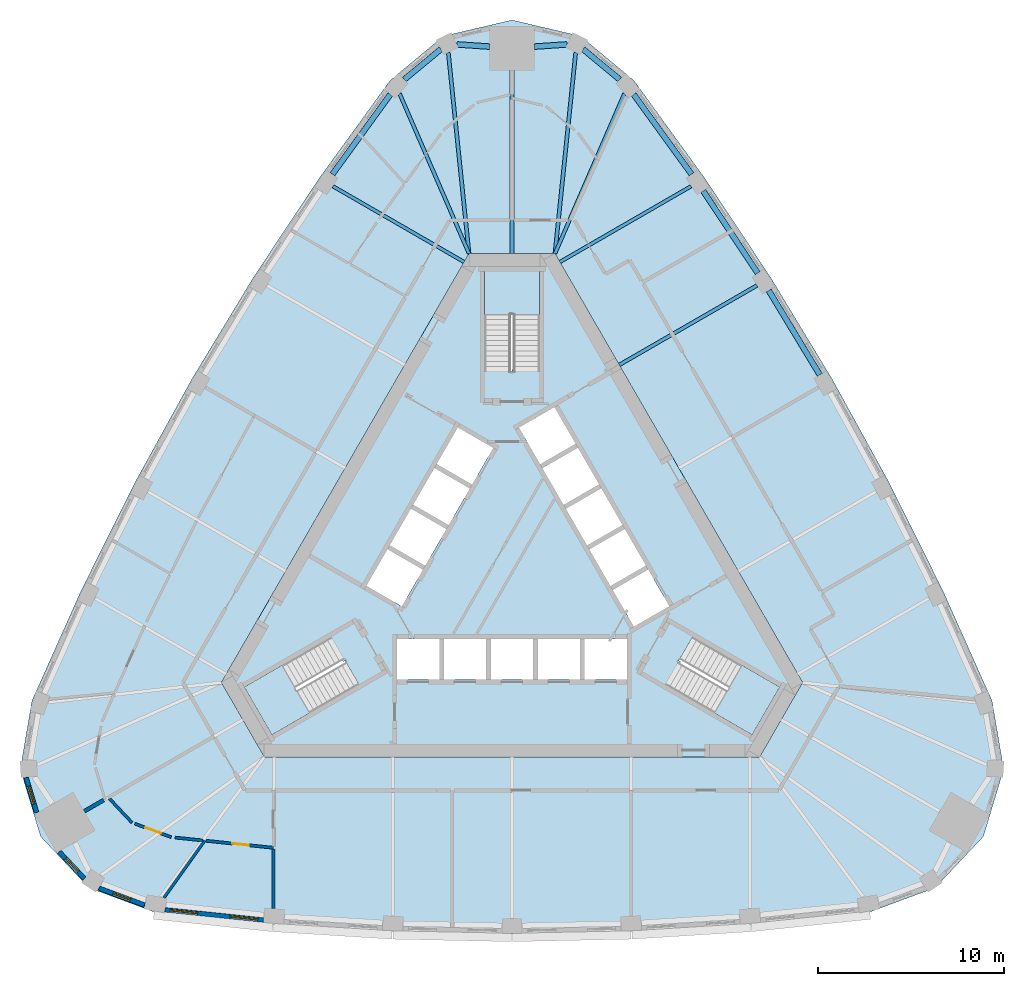
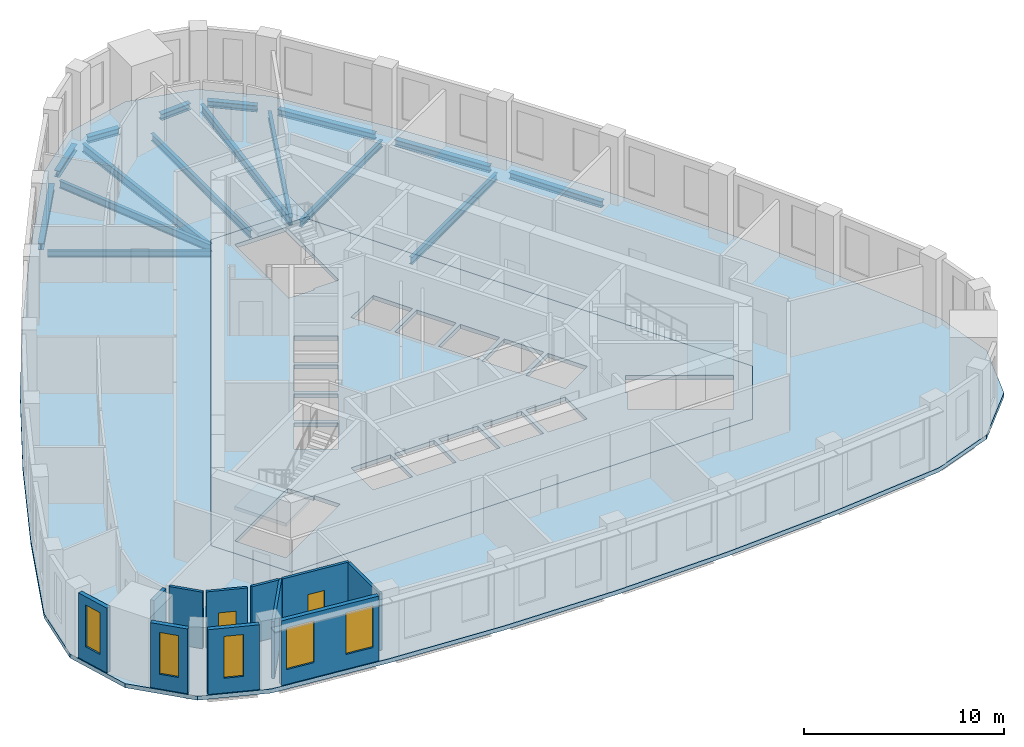
# One storey, part 2 of 10: 16 beams, 11 walls, 5 slabs, 5 windows, 2 doors, 7 openings, 3 elements without a shape of their own.
"""IFC4 building model written with IfcOpenShell, lengths in metres."""

from ifc_helpers import new_model, si_unit, direction, frame, frame_2d, origin, origin_2d, place, context, subcontext, project, spatial, polyline, rectangle, i_section, outline, extrude, material, layer, layer_set, material_profile, profile_set, type_object, element, fill, aggregate, save


model = new_model("IFC4")

# Units and contexts
model_context = context("Model", 3, precision=1e-05, world=origin(), true_north=direction((0.0, 1.0)))
body_context = subcontext(model_context, "Body", "Model", "MODEL_VIEW")
ifc_project = project(units=[si_unit("LENGTHUNIT", "METRE"), si_unit("AREAUNIT", "SQUARE_METRE"), si_unit("VOLUMEUNIT", "CUBIC_METRE"), si_unit("PLANEANGLEUNIT", "RADIAN"), si_unit("MASSUNIT", "GRAM", prefix="KILO")], contexts=[model_context])

# Site, building, storey
site_placement = place(None, origin())
site = spatial("IfcSite", under=ifc_project, at=site_placement, CompositionType="ELEMENT")
building_placement = place(site_placement, origin())
building = spatial("IfcBuilding", under=site, at=building_placement, Name="Mestral Congress Tower", CompositionType="ELEMENT")
storey_placement = place(building_placement, frame((0.0, 0.0, 218.39990234375)))
storey = spatial("IfcBuildingStorey", under=building, at=storey_placement, Name="L51", CompositionType="ELEMENT", Elevation=218.39990234375)

# Beams
ifc_material_1 = material(Name="Steel S355", Category="steel")
ifc_material_profile_1 = material_profile(ifc_material_1, i_section(OverallWidth=0.179931640625, OverallDepth=0.39990234375, WebThickness=0.008544921875, FlangeThickness=0.013427734375, FilletRadius=0.02099609375, at=origin_2d()), Name="IPE 400")
ifc_profile_set_1 = profile_set([ifc_material_profile_1], Name="Steel S355")
beam_type_1 = type_object("IfcBeamType", Name="Floor beam IPE 400 S355", PredefinedType="BEAM", material=ifc_profile_set_1)
for number, where, z_axis, x_axis, name in (
    (1, (9.627197265625, 20.321533203125, -0.449951171875), (-0.86601443812, -0.500018992608, 0.0), (0.500018992608, -0.86601443812, 0.0), "BM-L51-RB4-E05"),
    (2, (-9.627197265625, 20.321533203125, -0.449951171875), (0.86601443812, -0.500018992608, 0.0), (0.500018992608, 0.86601443812, 0.0), "BM-L51-RB4-W01"),
):
    element("IfcBeam", number, at=place(storey_placement, frame(where, z_axis=z_axis, x_axis=x_axis)), inside=storey, type_object=beam_type_1, Name=name, PredefinedType="BEAM", context=body_context, shape_type="SweptSolid", body=[
        extrude(i_section(OverallWidth=0.179931640625, OverallDepth=0.39990234375, WebThickness=0.008544921875, FlangeThickness=0.013427734375, FilletRadius=0.02099609375, at=origin_2d()), origin(), (0.0, 0.0, 1.0), 8.148193359375),
    ])
ifc_material_profile_2 = material_profile(ifc_material_1, i_section(OverallWidth=0.18994140625, OverallDepth=0.449951171875, WebThickness=0.009521484375, FlangeThickness=0.0146484375, FilletRadius=0.02099609375, at=origin_2d()), Name="IPE 450")
ifc_profile_set_2 = profile_set([ifc_material_profile_2], Name="Steel S355")
beam_type_2 = type_object("IfcBeamType", Name="Floor beam IPE 450 S355", PredefinedType="BEAM", material=ifc_profile_set_2)
beam_1_placement = place(storey_placement, frame((13.16650390625, 14.98974609375, -0.474853515625), z_axis=(-0.866028621479, -0.499994426748, 0.0), x_axis=(0.499994426748, -0.866028621479, 0.0)))
element("IfcBeam", 3, at=beam_1_placement, inside=storey, type_object=beam_type_2, Name="BM-L51-RB4-E04", PredefinedType="BEAM", context=body_context, shape_type="SweptSolid", body=[
    extrude(i_section(OverallWidth=0.18994140625, OverallDepth=0.449951171875, WebThickness=0.009521484375, FlangeThickness=0.0146484375, FilletRadius=0.02099609375, at=origin_2d()), origin(), (0.0, 0.0, 1.0), 8.54736328125),
])
beam_2_placement = place(storey_placement, frame((6.0419921875, 25.296875, -0.474853515625), z_axis=(-0.398265997009, -0.91726996878, 0.0), x_axis=(0.91726996878, -0.398265997009, 0.0)))
element("IfcBeam", 4, at=beam_2_placement, inside=storey, type_object=beam_type_2, Name="BM-L51-RB4-E06", PredefinedType="BEAM", context=body_context, shape_type="SweptSolid", body=[
    extrude(i_section(OverallWidth=0.18994140625, OverallDepth=0.449951171875, WebThickness=0.009521484375, FlangeThickness=0.0146484375, FilletRadius=0.02099609375, at=origin_2d()), origin(), (0.0, 0.0, 1.0), 9.372314453125),
])
beam_3_placement = place(storey_placement, frame((0.0, 26.54443359375, -0.474853515625), z_axis=(0.0, -1.0, 0.0), x_axis=(1.0, 0.0, 0.0)))
element("IfcBeam", 5, at=beam_3_placement, inside=storey, type_object=beam_type_2, Name="BM-L51-RB4-N", PredefinedType="BEAM", context=body_context, shape_type="SweptSolid", body=[
    extrude(i_section(OverallWidth=0.18994140625, OverallDepth=0.449951171875, WebThickness=0.009521484375, FlangeThickness=0.0146484375, FilletRadius=0.02099609375, at=origin_2d()), origin(), (0.0, 0.0, 1.0), 9.844482421875),
])
beam_4_placement = place(storey_placement, frame((-6.0419921875, 25.296875, -0.474853515625), z_axis=(0.398265997009, -0.91726996878, 0.0), x_axis=(0.91726996878, 0.398265997009, 0.0)))
element("IfcBeam", 6, at=beam_4_placement, inside=storey, type_object=beam_type_2, Name="BM-L51-RB4-W00", PredefinedType="BEAM", context=body_context, shape_type="SweptSolid", body=[
    extrude(i_section(OverallWidth=0.18994140625, OverallDepth=0.449951171875, WebThickness=0.009521484375, FlangeThickness=0.0146484375, FilletRadius=0.02099609375, at=origin_2d()), origin(), (0.0, 0.0, 1.0), 9.372314453125),
])
ifc_material_profile_3 = material_profile(ifc_material_1, i_section(OverallWidth=0.199951171875, OverallDepth=0.5, WebThickness=0.01025390625, FlangeThickness=0.01611328125, FilletRadius=0.02099609375, at=origin_2d()), Name="IPE 500")
ifc_profile_set_3 = profile_set([ifc_material_profile_3], Name="Steel S355")
beam_type_3 = type_object("IfcBeamType", Name="Floor beam IPE 500 S355", PredefinedType="BEAM", material=ifc_profile_set_3)
for number, where, z_axis, x_axis, name in (
    (7, (3.4228515625, 27.5009765625, -0.5), (-0.102550876252, -0.994727760636, 0.0), (0.994727760636, -0.102550876252, 0.0), "BM-L51-RB4-N1"),
    (8, (-3.4228515625, 27.5009765625, -0.5), (0.102550876252, -0.994727760636, 0.0), (0.994727760636, 0.102550876252, 0.0), "BM-L51-RB4-N3"),
):
    element("IfcBeam", number, at=place(storey_placement, frame(where, z_axis=z_axis, x_axis=x_axis)), inside=storey, type_object=beam_type_3, Name=name, PredefinedType="BEAM", context=body_context, shape_type="SweptSolid", body=[
        extrude(i_section(OverallWidth=0.199951171875, OverallDepth=0.5, WebThickness=0.01025390625, FlangeThickness=0.01611328125, FilletRadius=0.02099609375, at=origin_2d()), origin(), (0.0, 0.0, 1.0), 10.858154296875),
    ])
ifc_material_profile_4 = material_profile(ifc_material_1, i_section(OverallWidth=0.300048828125, OverallDepth=0.389892578125, WebThickness=0.010986328125, FlangeThickness=0.01904296875, FilletRadius=0.027099609375, at=origin_2d()), Name="HEA 400")
ifc_profile_set_4 = profile_set([ifc_material_profile_4], Name="Steel S355")
beam_type_4 = type_object("IfcBeamType", Name="Spandrel beam HEA 400 S355", PredefinedType="BEAM", material=ifc_profile_set_4)
for number, where, z_axis, x_axis, name in (
    (9, (16.54248046875, 10.185791015625, -0.44482421875), (-0.517865676042, 0.855461946306, 0.0), (-0.855461946306, -0.517865676042, 0.0), "SP-L51-SB4-E03"),
    (10, (13.209228515625, 15.648193359375, -0.44482421875), (-0.552934106774, 0.833224983762, 0.0), (-0.833224983762, -0.552934106774, 0.0), "SP-L51-SB4-E04"),
):
    element("IfcBeam", number, at=place(storey_placement, frame(where, z_axis=z_axis, x_axis=x_axis)), inside=storey, type_object=beam_type_4, Name=name, PredefinedType="BEAM", context=body_context, shape_type="SweptSolid", body=[
        extrude(i_section(OverallWidth=0.300048828125, OverallDepth=0.389892578125, WebThickness=0.010986328125, FlangeThickness=0.01904296875, FilletRadius=0.027099609375, at=origin_2d()), origin(), (0.0, 0.0, 1.0), 5.29931640625),
    ])
beam_5_placement = place(storey_placement, frame((9.652099609375, 20.967529296875, -0.44482421875), z_axis=(-0.587017415163, 0.809574304369, 0.0), x_axis=(-0.809574304369, -0.587017415163, 0.0)))
element("IfcBeam", 11, at=beam_5_placement, inside=storey, type_object=beam_type_4, Name="SP-L51-SB4-E05", PredefinedType="BEAM", context=body_context, shape_type="SweptSolid", body=[
    extrude(i_section(OverallWidth=0.300048828125, OverallDepth=0.389892578125, WebThickness=0.010986328125, FlangeThickness=0.01904296875, FilletRadius=0.027099609375, at=origin_2d()), origin(), (0.0, 0.0, 1.0), 5.29736328125),
])
beam_6_placement = place(storey_placement, frame((5.789306640625, 26.058837890625, -0.44482421875), z_axis=(-0.769970431757, 0.638079567311, 0.0), x_axis=(-0.638079567311, -0.769970431757, 0.0)))
element("IfcBeam", 12, at=beam_6_placement, inside=storey, type_object=beam_type_4, Name="SP-L51-SB4-E06", PredefinedType="BEAM", context=body_context, shape_type="SweptSolid", body=[
    extrude(i_section(OverallWidth=0.300048828125, OverallDepth=0.389892578125, WebThickness=0.010986328125, FlangeThickness=0.01904296875, FilletRadius=0.027099609375, at=origin_2d()), origin(), (0.0, 0.0, 1.0), 2.547119140625),
])
for number, where, z_axis, x_axis, name in (
    (13, (2.9521484375, 27.94384765625, -0.44482421875), (-0.997724466462, -0.067423208337, 0.0), (0.067423208337, -0.997724466462, 0.0), "SP-L51-SB4-N1"),
    (14, (-1.199951171875, 27.825439453125, -0.44482421875), (-0.997724466462, 0.067423208337, 0.0), (-0.067423208337, -0.997724466462, 0.0), "SP-L51-SB4-N"),
):
    element("IfcBeam", number, at=place(storey_placement, frame(where, z_axis=z_axis, x_axis=x_axis)), inside=storey, type_object=beam_type_4, Name=name, PredefinedType="BEAM", context=body_context, shape_type="SweptSolid", body=[
        extrude(i_section(OverallWidth=0.300048828125, OverallDepth=0.389892578125, WebThickness=0.010986328125, FlangeThickness=0.01904296875, FilletRadius=0.027099609375, at=origin_2d()), origin(), (0.0, 0.0, 1.0), 1.756103515625),
    ])
beam_7_placement = place(storey_placement, frame((-3.828125, 27.68408203125, -0.44482421875), z_axis=(-0.769970431757, -0.638079567311, 0.0), x_axis=(0.638079567311, -0.769970431757, 0.0)))
element("IfcBeam", 15, at=beam_7_placement, inside=storey, type_object=beam_type_4, Name="SP-L51-SB4-N3", PredefinedType="BEAM", context=body_context, shape_type="SweptSolid", body=[
    extrude(i_section(OverallWidth=0.300048828125, OverallDepth=0.389892578125, WebThickness=0.010986328125, FlangeThickness=0.01904296875, FilletRadius=0.027099609375, at=origin_2d()), origin(), (0.0, 0.0, 1.0), 2.547119140625),
])
beam_8_placement = place(storey_placement, frame((-6.54248046875, 25.256103515625, -0.44482421875), z_axis=(-0.587017415163, -0.809574304369, 0.0), x_axis=(0.809574304369, -0.587017415163, 0.0)))
element("IfcBeam", 16, at=beam_8_placement, inside=storey, type_object=beam_type_4, Name="SP-L51-SB4-W00", PredefinedType="BEAM", context=body_context, shape_type="SweptSolid", body=[
    extrude(i_section(OverallWidth=0.300048828125, OverallDepth=0.389892578125, WebThickness=0.010986328125, FlangeThickness=0.01904296875, FilletRadius=0.027099609375, at=origin_2d()), origin(), (0.0, 0.0, 1.0), 5.29736328125),
])

# Slabs
ifc_material_2 = material(Name="Concrete C35/45", Category="concrete")
ifc_layer_1 = layer(ifc_material_2, 0.25)
ifc_layer_set_1 = layer_set([ifc_layer_1], Name="Concrete C35/45")
slab_type_1 = type_object("IfcSlabType", Name="Composite floor slab 250", PredefinedType="FLOOR", material=ifc_layer_set_1)
placement_1 = place(storey_placement, frame((0.0, 0.0, -0.25)))
element("IfcSlab", 17, at=placement_1, inside=storey, type_object=slab_type_1, Name="SL-L51", PredefinedType="FLOOR", context=body_context, shape_type="SweptSolid", body=[
    extrude(outline(polyline([(-19.253662109375, -18.678466796875), (-22.75, -17.381591796875), (-25.3369140625, -14.62841796875), (-26.427978515625, -11.01123046875), (-25.802978515625, -7.334716796875), (-23.16748046875, -1.4306640625), (-20.310302734375, 4.316650390625), (-17.21728515625, 9.9404296875), (-13.8935546875, 15.430908203125), (-10.3447265625, 20.77880859375), (-6.54931640625, 26.013427734375), (-3.677978515625, 28.392822265625), (0.0, 29.256591796875), (3.677978515625, 28.392822265625), (6.54931640625, 26.013427734375), (10.3447265625, 20.77880859375), (13.8935546875, 15.430908203125), (17.21728515625, 9.9404296875), (20.310302734375, 4.316650390625), (23.16748046875, -1.4306640625), (25.802978515625, -7.334716796875), (26.427978515625, -11.01123046875), (25.3369140625, -14.62841796875), (22.75, -17.381591796875), (19.253662109375, -18.678466796875), (12.822509765625, -19.34814453125), (6.416748046875, -19.74755859375), (0.0, -19.880615234375), (-6.416748046875, -19.74755859375), (-12.822509765625, -19.34814453125), (-19.253662109375, -18.678466796875)]), holes=[polyline([(-2.309326171875, 16.699951171875), (-15.6171875, -6.35009765625), (-13.307861328125, -10.35009765625), (13.307861328125, -10.35009765625), (15.6171875, -6.35009765625), (2.309326171875, 16.699951171875), (-2.309326171875, 16.699951171875)])]), origin(), (0.0, 0.0, 1.0), 0.25),
])
ifc_material_3 = material(Name="Concrete C60/75", Category="concrete")
ifc_layer_2 = layer(ifc_material_3, 0.25)
ifc_layer_set_2 = layer_set([ifc_layer_2], Name="Concrete C60/75")
slab_type_2 = type_object("IfcSlabType", Name="Core floor slab RC 250", PredefinedType="FLOOR", material=ifc_layer_set_2)
element("IfcSlab", 18, at=placement_1, inside=storey, type_object=slab_type_2, Name="L51 core floor", PredefinedType="FLOOR", context=body_context, shape_type="SweptSolid", body=[
    extrude(outline(polyline([(13.307861328125, -10.35009765625), (-13.307861328125, -10.35009765625), (-15.6171875, -6.35009765625), (-2.309326171875, 16.699951171875), (2.309326171875, 16.699951171875), (15.6171875, -6.35009765625), (13.307861328125, -10.35009765625)]), holes=[polyline([(-9.8046875, -3.95751953125), (-14.37744140625, -6.59765625), (-12.90234375, -9.15234375), (-8.234619140625, -6.45751953125), (-8.971923828125, -5.179931640625), (-9.0673828125, -5.235107421875), (-9.8046875, -3.95751953125)]), polyline([(-3.905029296875, -4.0), (-6.175048828125, -4.0), (-6.175048828125, -6.199951171875), (-3.905029296875, -6.199951171875), (-3.905029296875, -4.0)]), polyline([(-1.385009765625, -4.0), (-3.655029296875, -4.0), (-3.655029296875, -6.199951171875), (-1.385009765625, -6.199951171875), (-1.385009765625, -4.0)]), polyline([(1.135009765625, -4.0), (-1.135009765625, -4.0), (-1.135009765625, -6.199951171875), (1.135009765625, -6.199951171875), (1.135009765625, -4.0)]), polyline([(-5.921630859375, -2.256591796875), (-4.78662109375, -0.29052734375), (-6.69189453125, 0.809326171875), (-7.826904296875, -1.156494140625), (-5.921630859375, -2.256591796875)]), polyline([(-4.66162109375, -0.07421875), (-3.526611328125, 1.8916015625), (-5.431884765625, 2.99169921875), (-6.56689453125, 1.02587890625), (-4.66162109375, -0.07421875)]), polyline([(-3.401611328125, 2.1083984375), (-2.2666015625, 4.07421875), (-4.171875, 5.174072265625), (-5.306884765625, 3.208251953125), (-3.401611328125, 2.1083984375)]), polyline([(-2.1416015625, 4.29052734375), (-1.006591796875, 6.256591796875), (-2.911865234375, 7.3564453125), (-4.046875, 5.390625), (-2.1416015625, 4.29052734375)]), polyline([(1.47509765625, 10.469970703125), (1.47509765625, 15.75), (-1.47509765625, 15.75), (-1.47509765625, 10.360107421875), (0.0, 10.360107421875), (0.0, 10.469970703125), (1.47509765625, 10.469970703125)]), polyline([(8.329833984375, -6.512451171875), (12.90234375, -9.15234375), (14.37744140625, -6.59765625), (9.70947265625, -3.902587890625), (8.971923828125, -5.179931640625), (9.0673828125, -5.235107421875), (8.329833984375, -6.512451171875)]), polyline([(3.655029296875, -4.0), (1.385009765625, -4.0), (1.385009765625, -6.199951171875), (3.655029296875, -6.199951171875), (3.655029296875, -4.0)]), polyline([(6.175048828125, -4.0), (3.905029296875, -4.0), (3.905029296875, -6.199951171875), (6.175048828125, -6.199951171875), (6.175048828125, -4.0)]), polyline([(5.41650390625, -1.3818359375), (6.551513671875, -3.34765625), (8.456787109375, -2.247802734375), (7.322021484375, -0.28173828125), (5.41650390625, -1.3818359375)]), polyline([(4.156494140625, 0.800537109375), (5.29150390625, -1.165283203125), (7.197021484375, -0.065185546875), (6.06201171875, 1.900634765625), (4.156494140625, 0.800537109375)]), polyline([(2.896484375, 2.98291015625), (4.031494140625, 1.01708984375), (5.93701171875, 2.1171875), (4.802001953125, 4.0830078125), (2.896484375, 2.98291015625)]), polyline([(3.5419921875, 6.265380859375), (1.63671875, 5.165283203125), (2.771484375, 3.199462890625), (4.677001953125, 4.29931640625), (3.5419921875, 6.265380859375)]), polyline([(2.281982421875, 8.44775390625), (0.376708984375, 7.34765625), (1.51171875, 5.3818359375), (3.4169921875, 6.481689453125), (2.281982421875, 8.44775390625)])]), origin(), (0.0, 0.0, 1.0), 0.25),
])

# Stair, slab
stair_type = type_object("IfcStairType", Name="Exit stair 1400", PredefinedType="HALF_TURN_STAIR", material=ifc_material_3)
placement_2 = place(storey_placement, origin())
stair_1 = element("IfcStair", 19, at=placement_2, inside=storey, type_object=stair_type, Name="L51 ST1", PredefinedType="HALF_TURN_STAIR")
ifc_layer_3 = layer(ifc_material_3, 0.199951171875)
ifc_layer_set_3 = layer_set([ifc_layer_3], Name="Concrete C60/75")
slab_type_3 = type_object("IfcSlabType", Name="Exit stair landing 200", PredefinedType="LANDING", material=ifc_layer_set_3)
placement_3 = place(storey_placement, frame((0.0, 0.0, 1.900146484375)))
slab_3 = element("IfcSlab", 20, at=placement_3, type_object=slab_type_3, Name="ST1 landing 1", PredefinedType="LANDING", context=body_context, shape_type="SweptSolid", body=[
    extrude(outline(polyline([(10.879638671875, -7.99609375), (12.364501953125, -5.424072265625), (14.39111328125, -6.593994140625), (12.906005859375, -9.166015625), (10.879638671875, -7.99609375)])), origin(), (0.0, 0.0, 1.0), 0.199951171875),
])
aggregate(stair_1, [slab_3])

stair_2 = element("IfcStair", 21, at=placement_2, inside=storey, type_object=stair_type, Name="L51 ST2", PredefinedType="HALF_TURN_STAIR")
slab_4 = element("IfcSlab", 22, at=placement_3, type_object=slab_type_3, Name="ST2 landing 1", PredefinedType="LANDING", context=body_context, shape_type="SweptSolid", body=[
    extrude(outline(polyline([(1.485107421875, 13.419921875), (-1.485107421875, 13.419921875), (-1.485107421875, 15.760009765625), (1.485107421875, 15.760009765625), (1.485107421875, 13.419921875)])), origin(), (0.0, 0.0, 1.0), 0.199951171875),
])
aggregate(stair_2, [slab_4])

stair_3 = element("IfcStair", 23, at=placement_2, inside=storey, type_object=stair_type, Name="L51 ST3", PredefinedType="HALF_TURN_STAIR")
slab_5 = element("IfcSlab", 24, at=placement_3, type_object=slab_type_3, Name="ST3 landing 1", PredefinedType="LANDING", context=body_context, shape_type="SweptSolid", body=[
    extrude(outline(polyline([(-12.364501953125, -5.424072265625), (-10.879638671875, -7.99609375), (-12.906005859375, -9.166015625), (-14.39111328125, -6.593994140625), (-12.364501953125, -5.424072265625)])), origin(), (0.0, 0.0, 1.0), 0.199951171875),
])
aggregate(stair_3, [slab_5])

# Wall, openings, windows
ifc_material_4 = material(Name="Precast concrete C40/50 with limestone facing", Category="masonry")
ifc_layer_4 = layer(ifc_material_4, 0.239990234375)
ifc_layer_set_4 = layer_set([ifc_layer_4], Name="Precast concrete C40/50 with limestone facing")
wall_type_1 = type_object("IfcWallType", Name="Facade stone wall 240", PredefinedType="SOLIDWALL", material=ifc_layer_set_4)
wall_1_placement = place(storey_placement, frame((-18.644287109375, -18.571044921875, 0.0), z_axis=(0.0, 0.0, 1.0), x_axis=(0.994621961215, -0.103571976272, 0.0)))
wall_1 = element("IfcWall", 25, at=wall_1_placement, inside=storey, type_object=wall_type_1, Name="Facade wall F0-00", PredefinedType="SOLIDWALL", context=body_context, shape_type="SweptSolid", body=[
    extrude(rectangle(XDim=5.310791015625, YDim=0.239990234375, at=frame_2d((2.6552734375, 0.0))), origin(), (0.0, 0.0, 1.0), 3.9501953125),
])
opening_1_placement = place(wall_1_placement, frame((0.271484375, 0.0, 0.89990234375)))
opening_1 = element("IfcOpeningElement", 26, at=opening_1_placement, cuts=wall_1, Name="Opening W4", PredefinedType="OPENING", context=body_context, shape_type="SweptSolid", body=[
    extrude(rectangle(XDim=1.5, YDim=2.550048828125, at=frame_2d((0.75, 1.27490234375))), frame((0.0, 0.1298828125, 0.0), z_axis=(0.0, -1.0, 0.0), x_axis=(1.0, 0.0, 0.0)), (0.0, 0.0, 1.0), 0.260009765625),
])
opening_2_placement = place(wall_1_placement, frame((3.50439453125, 0.0, 0.89990234375)))
opening_2 = element("IfcOpeningElement", 27, at=opening_2_placement, cuts=wall_1, Name="Opening W4", PredefinedType="OPENING", context=body_context, shape_type="SweptSolid", body=[
    extrude(rectangle(XDim=1.5, YDim=2.550048828125, at=frame_2d((0.75, 1.27490234375))), frame((0.0, 0.1298828125, 0.0), z_axis=(0.0, -1.0, 0.0), x_axis=(1.0, 0.0, 0.0)), (0.0, 0.0, 1.0), 0.260009765625),
])
ifc_material_5 = material(Name="Clear low-emissivity double glazing", Category="glass")
window_type_1 = type_object("IfcWindowType", Name="Facade punched window 1500 x 2550 sill 900", PartitioningType="SINGLE_PANEL", PredefinedType="WINDOW", material=ifc_material_5)
window_1_placement = place(opening_1_placement, origin())
window_1 = element("IfcWindow", 28, at=window_1_placement, inside=storey, type_object=window_type_1, Name="Window F0-00a", OverallHeight=2.550048828125, OverallWidth=1.5, PartitioningType="SINGLE_PANEL", PredefinedType="WINDOW", context=body_context, shape_type="SweptSolid", body=[
    extrude(rectangle(XDim=1.5, YDim=2.550048828125, at=frame_2d((0.75, 1.27490234375))), frame((0.0, 0.0400390625, 0.0), z_axis=(0.0, -1.0, 0.0), x_axis=(1.0, 0.0, 0.0)), (0.0, 0.0, 1.0), 0.06005859375),
])
fill(opening_1, window_1)
window_2_placement = place(opening_2_placement, origin())
window_2 = element("IfcWindow", 29, at=window_2_placement, inside=storey, type_object=window_type_1, Name="Window F0-00b", OverallHeight=2.550048828125, OverallWidth=1.5, PartitioningType="SINGLE_PANEL", PredefinedType="WINDOW", context=body_context, shape_type="SweptSolid", body=[
    extrude(rectangle(XDim=1.5, YDim=2.550048828125, at=frame_2d((0.75, 1.27490234375))), frame((0.0, 0.0400390625, 0.0), z_axis=(0.0, -1.0, 0.0), x_axis=(1.0, 0.0, 0.0)), (0.0, 0.0, 1.0), 0.06005859375),
])
fill(opening_2, window_2)

# Wall, opening, window
wall_2_placement = place(storey_placement, frame((-26.1123046875, -11.469482421875, 0.0), z_axis=(0.0, 0.0, 1.0), x_axis=(0.288727209095, -0.957411405159, 0.0)))
wall_2 = element("IfcWall", 30, at=wall_2_placement, inside=storey, type_object=wall_type_1, Name="Facade wall K2-1", PredefinedType="SOLIDWALL", context=body_context, shape_type="SweptSolid", body=[
    extrude(rectangle(XDim=1.9482421875, YDim=0.239990234375, at=frame_2d((0.97412109375, 0.0))), origin(), (0.0, 0.0, 1.0), 3.9501953125),
])
opening_3_placement = place(wall_2_placement, frame((0.47412109375, 0.0, 0.89990234375)))
opening_3 = element("IfcOpeningElement", 31, at=opening_3_placement, cuts=wall_2, Name="Opening W5", PredefinedType="OPENING", context=body_context, shape_type="SweptSolid", body=[
    extrude(rectangle(XDim=1.0, YDim=2.550048828125, at=frame_2d((0.5, 1.27490234375))), frame((0.0, 0.1298828125, 0.0), z_axis=(0.0, -1.0, 0.0), x_axis=(1.0, 0.0, 0.0)), (0.0, 0.0, 1.0), 0.260009765625),
])
window_type_2 = type_object("IfcWindowType", Name="Facade punched window 1000 x 2550 sill 900", PartitioningType="SINGLE_PANEL", PredefinedType="WINDOW", material=ifc_material_5)
window_3_placement = place(opening_3_placement, origin())
window_3 = element("IfcWindow", 32, at=window_3_placement, inside=storey, type_object=window_type_2, Name="Window K2-1", OverallHeight=2.550048828125, OverallWidth=1.0, PartitioningType="SINGLE_PANEL", PredefinedType="WINDOW", context=body_context, shape_type="SweptSolid", body=[
    extrude(rectangle(XDim=1.0, YDim=2.550048828125, at=frame_2d((0.5, 1.27490234375))), frame((0.0, 0.0400390625, 0.0), z_axis=(0.0, -1.0, 0.0), x_axis=(1.0, 0.0, 0.0)), (0.0, 0.0, 1.0), 0.06005859375),
])
fill(opening_3, window_3)

wall_3_placement = place(storey_placement, frame((-24.322998046875, -15.459228515625, 0.0), z_axis=(0.0, 0.0, 1.0), x_axis=(0.684770274166, -0.728758994194, 0.0)))
wall_3 = element("IfcWall", 33, at=wall_3_placement, inside=storey, type_object=wall_type_1, Name="Facade wall K2-2", PredefinedType="SOLIDWALL", context=body_context, shape_type="SweptSolid", body=[
    extrude(rectangle(XDim=1.947998046875, YDim=0.239990234375, at=frame_2d((0.97412109375, 0.0))), origin(), (0.0, 0.0, 1.0), 3.9501953125),
])
opening_4_placement = place(wall_3_placement, frame((0.47412109375, 0.0, 0.89990234375)))
opening_4 = element("IfcOpeningElement", 34, at=opening_4_placement, cuts=wall_3, Name="Opening W5", PredefinedType="OPENING", context=body_context, shape_type="SweptSolid", body=[
    extrude(rectangle(XDim=1.0, YDim=2.550048828125, at=frame_2d((0.5, 1.27490234375))), frame((0.0, 0.1298828125, 0.0), z_axis=(0.0, -1.0, 0.0), x_axis=(1.0, 0.0, 0.0)), (0.0, 0.0, 1.0), 0.260009765625),
])
window_4_placement = place(opening_4_placement, origin())
window_4 = element("IfcWindow", 35, at=window_4_placement, inside=storey, type_object=window_type_2, Name="Window K2-2", OverallHeight=2.550048828125, OverallWidth=1.0, PartitioningType="SINGLE_PANEL", PredefinedType="WINDOW", context=body_context, shape_type="SweptSolid", body=[
    extrude(rectangle(XDim=1.0, YDim=2.550048828125, at=frame_2d((0.5, 1.27490234375))), frame((0.0, 0.0400390625, 0.0), z_axis=(0.0, -1.0, 0.0), x_axis=(1.0, 0.0, 0.0)), (0.0, 0.0, 1.0), 0.06005859375),
])
fill(opening_4, window_4)

wall_4_placement = place(storey_placement, frame((-22.194091796875, -17.406494140625, 0.0), z_axis=(0.0, 0.0, 1.0), x_axis=(0.937569171184, -0.347798863203, 0.0)))
wall_4 = element("IfcWall", 36, at=wall_4_placement, inside=storey, type_object=wall_type_1, Name="Facade wall K2-3", PredefinedType="SOLIDWALL", context=body_context, shape_type="SweptSolid", body=[
    extrude(rectangle(XDim=2.609130859375, YDim=0.239990234375, at=frame_2d((1.3046875, 0.0))), origin(), (0.0, 0.0, 1.0), 3.9501953125),
])
opening_5_placement = place(wall_4_placement, frame((0.8046875, 0.0, 0.89990234375)))
opening_5 = element("IfcOpeningElement", 37, at=opening_5_placement, cuts=wall_4, Name="Opening W5", PredefinedType="OPENING", context=body_context, shape_type="SweptSolid", body=[
    extrude(rectangle(XDim=1.0, YDim=2.550048828125, at=frame_2d((0.5, 1.27490234375))), frame((0.0, 0.1298828125, 0.0), z_axis=(0.0, -1.0, 0.0), x_axis=(1.0, 0.0, 0.0)), (0.0, 0.0, 1.0), 0.260009765625),
])
window_5_placement = place(opening_5_placement, origin())
window_5 = element("IfcWindow", 38, at=window_5_placement, inside=storey, type_object=window_type_2, Name="Window K2-3", OverallHeight=2.550048828125, OverallWidth=1.0, PartitioningType="SINGLE_PANEL", PredefinedType="WINDOW", context=body_context, shape_type="SweptSolid", body=[
    extrude(rectangle(XDim=1.0, YDim=2.550048828125, at=frame_2d((0.5, 1.27490234375))), frame((0.0, 0.0400390625, 0.0), z_axis=(0.0, -1.0, 0.0), x_axis=(1.0, 0.0, 0.0)), (0.0, 0.0, 1.0), 0.06005859375),
])
fill(opening_5, window_5)

# Walls
ifc_material_6 = material(Name="Plasterboard partition on steel studs", Category="steel")
ifc_layer_5 = layer(ifc_material_6, 0.14990234375)
ifc_layer_set_5 = layer_set([ifc_layer_5], Name="Plasterboard partition on steel studs")
wall_type_2 = type_object("IfcWallType", Name="Office partition 150", PredefinedType="PARTITIONING", material=ifc_layer_set_5)
wall_5_placement = place(storey_placement, frame((-16.52099609375, -14.85107421875, 0.0), z_axis=(0.0, 0.0, 1.0), x_axis=(-0.58104805465, -0.813869251285, 0.0)))
element("IfcWall", 39, at=wall_5_placement, inside=storey, type_object=wall_type_2, Name="Partition", PredefinedType="PARTITIONING", context=body_context, shape_type="SweptSolid", body=[
    extrude(rectangle(XDim=3.765625, YDim=0.14990234375, at=frame_2d((1.8828125, 0.0))), origin(), (0.0, 0.0, 1.0), 3.4501953125),
])
wall_6_placement = place(storey_placement, frame((-21.62841796875, -12.6025390625, 0.0), z_axis=(0.0, 0.0, 1.0), x_axis=(0.684778496912, -0.728751267695, 0.0)))
element("IfcWall", 40, at=wall_6_placement, inside=storey, type_object=wall_type_2, Name="Partition", PredefinedType="PARTITIONING", context=body_context, shape_type="SweptSolid", body=[
    extrude(rectangle(XDim=1.75439453125, YDim=0.14990234375, at=frame_2d((0.877197265625, 0.0))), origin(), (0.0, 0.0, 1.0), 3.4501953125),
])

# Wall, opening, door
wall_7_placement = place(storey_placement, frame((-18.31591796875, -14.6640625, 0.0), z_axis=(0.0, 0.0, 1.0), x_axis=(-0.937594570401, 0.347730386297, 0.0)))
wall_7 = element("IfcWall", 41, at=wall_7_placement, inside=storey, type_object=wall_type_2, Name="Partition", PredefinedType="PARTITIONING", context=body_context, shape_type="SweptSolid", body=[
    extrude(rectangle(XDim=2.0830078125, YDim=0.14990234375, at=frame_2d((1.04150390625, 0.0))), origin(), (0.0, 0.0, 1.0), 3.4501953125),
])
opening_6_placement = place(wall_7_placement, frame((0.583251953125, 0.0, 0.0)))
opening_6 = element("IfcOpeningElement", 42, at=opening_6_placement, cuts=wall_7, Name="Opening O07-017", PredefinedType="OPENING", context=body_context, shape_type="SweptSolid", body=[
    extrude(rectangle(XDim=0.89990234375, YDim=2.10009765625, at=frame_2d((0.449951171875, 1.050048828125))), frame((0.0, 0.0849609375, 0.0), z_axis=(0.0, -1.0, 0.0), x_axis=(1.0, 0.0, 0.0)), (0.0, 0.0, 1.0), 0.169921875),
])
ifc_material_7 = material(Name="Timber door set", Category="wood")
door_type = type_object("IfcDoorType", Name="Office door 900x2100", OperationType="SINGLE_SWING_LEFT", PredefinedType="DOOR", material=ifc_material_7)
door_1_placement = place(opening_6_placement, origin())
door_1 = element("IfcDoor", 43, at=door_1_placement, inside=storey, type_object=door_type, Name="Door O07-017", OperationType="SINGLE_SWING_LEFT", OverallHeight=2.10009765625, OverallWidth=0.89990234375, PredefinedType="DOOR", context=body_context, shape_type="SweptSolid", body=[
    extrude(rectangle(XDim=0.89990234375, YDim=2.10009765625, at=frame_2d((0.449951171875, 1.050048828125))), frame((0.0, 0.02490234375, 0.0), z_axis=(0.0, -1.0, 0.0), x_axis=(1.0, 0.0, 0.0)), (0.0, 0.0, 1.0), 0.050048828125),
])
fill(opening_6, door_1)

# Wall
wall_8_placement = place(storey_placement, frame((-18.102783203125, -14.686279296875, 0.0), z_axis=(0.0, 0.0, 1.0), x_axis=(0.994622241781, -0.103569281909, 0.0)))
element("IfcWall", 44, at=wall_8_placement, inside=storey, type_object=wall_type_2, Name="Partition", PredefinedType="PARTITIONING", context=body_context, shape_type="SweptSolid", body=[
    extrude(rectangle(XDim=1.50390625, YDim=0.14990234375, at=frame_2d((0.751953125, 0.0))), origin(), (0.0, 0.0, 1.0), 3.4501953125),
])

# Wall, opening, door
wall_9_placement = place(storey_placement, frame((-12.822509765625, -15.236083984375, 0.0), z_axis=(0.0, 0.0, 1.0), x_axis=(-0.994621582944, 0.10357560882, 0.0)))
wall_9 = element("IfcWall", 45, at=wall_9_placement, inside=storey, type_object=wall_type_2, Name="Partition", PredefinedType="PARTITIONING", context=body_context, shape_type="SweptSolid", body=[
    extrude(rectangle(XDim=3.63232421875, YDim=0.14990234375, at=frame_2d((1.816162109375, 0.0))), origin(), (0.0, 0.0, 1.0), 3.4501953125),
])
opening_7_placement = place(wall_9_placement, frame((1.332275390625, 0.0, 0.0)))
opening_7 = element("IfcOpeningElement", 46, at=opening_7_placement, cuts=wall_9, Name="Opening O07-018", PredefinedType="OPENING", context=body_context, shape_type="SweptSolid", body=[
    extrude(rectangle(XDim=0.89990234375, YDim=2.10009765625, at=frame_2d((0.449951171875, 1.050048828125))), frame((0.0, 0.0849609375, 0.0), z_axis=(0.0, -1.0, 0.0), x_axis=(1.0, 0.0, 0.0)), (0.0, 0.0, 1.0), 0.169921875),
])
door_2_placement = place(opening_7_placement, origin())
door_2 = element("IfcDoor", 47, at=door_2_placement, inside=storey, type_object=door_type, Name="Door O07-018", OperationType="SINGLE_SWING_LEFT", OverallHeight=2.10009765625, OverallWidth=0.89990234375, PredefinedType="DOOR", context=body_context, shape_type="SweptSolid", body=[
    extrude(rectangle(XDim=0.89990234375, YDim=2.10009765625, at=frame_2d((0.449951171875, 1.050048828125))), frame((0.0, 0.02490234375, 0.0), z_axis=(0.0, -1.0, 0.0), x_axis=(1.0, 0.0, 0.0)), (0.0, 0.0, 1.0), 0.050048828125),
])
fill(opening_7, door_2)

# Walls
wall_10_placement = place(storey_placement, frame((-12.822509765625, -15.3115234375, 0.0), z_axis=(0.0, 0.0, 1.0), x_axis=(0.0, -1.0, 0.0)))
element("IfcWall", 48, at=wall_10_placement, inside=storey, type_object=wall_type_2, Name="Partition", PredefinedType="PARTITIONING", context=body_context, shape_type="SweptSolid", body=[
    extrude(rectangle(XDim=3.18359375, YDim=0.14990234375, at=frame_2d((1.591796875, 0.0))), origin(), (0.0, 0.0, 1.0), 3.4501953125),
])
ifc_material_8 = material(Name="Dense masonry wall, plastered", Category="masonry")
ifc_layer_6 = layer(ifc_material_8, 0.199951171875)
ifc_layer_set_6 = layer_set([ifc_layer_6], Name="Dense masonry wall, plastered")
wall_type_3 = type_object("IfcWallType", Name="Office tenancy wall 200", PredefinedType="PARTITIONING", material=ifc_layer_set_6)
wall_11_placement = place(storey_placement, frame((-21.943359375, -12.6689453125, 0.0), z_axis=(0.0, 0.0, 1.0), x_axis=(-0.866030586491, -0.499991023182, 0.0)))
element("IfcWall", 49, at=wall_11_placement, inside=storey, type_object=wall_type_3, Name="Tenancy wall", PredefinedType="PARTITIONING", context=body_context, shape_type="SweptSolid", body=[
    extrude(rectangle(XDim=1.20654296875, YDim=0.199951171875, at=frame_2d((0.603271484375, 0.0))), origin(), (0.0, 0.0, 1.0), 3.4501953125),
])

save(model, "model.ifc")
